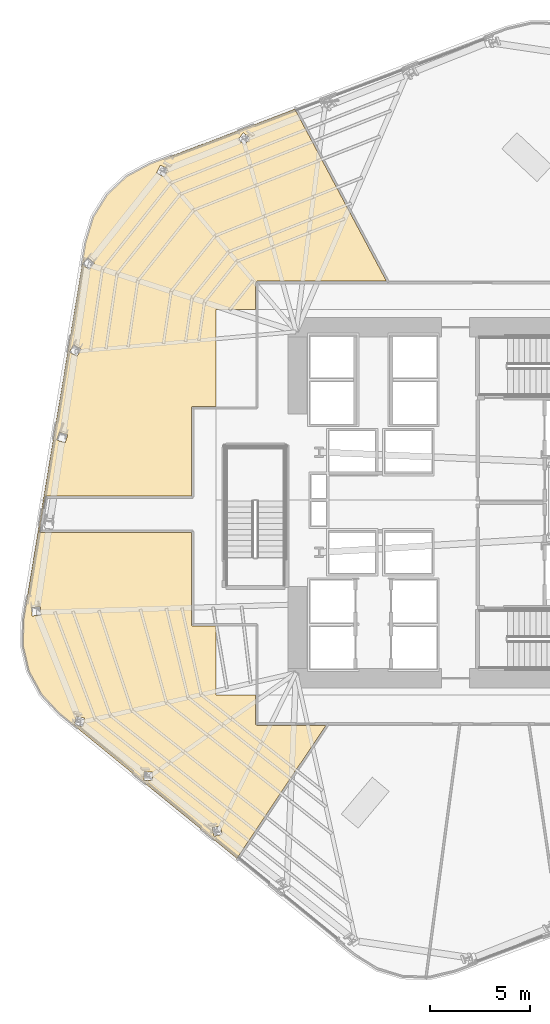
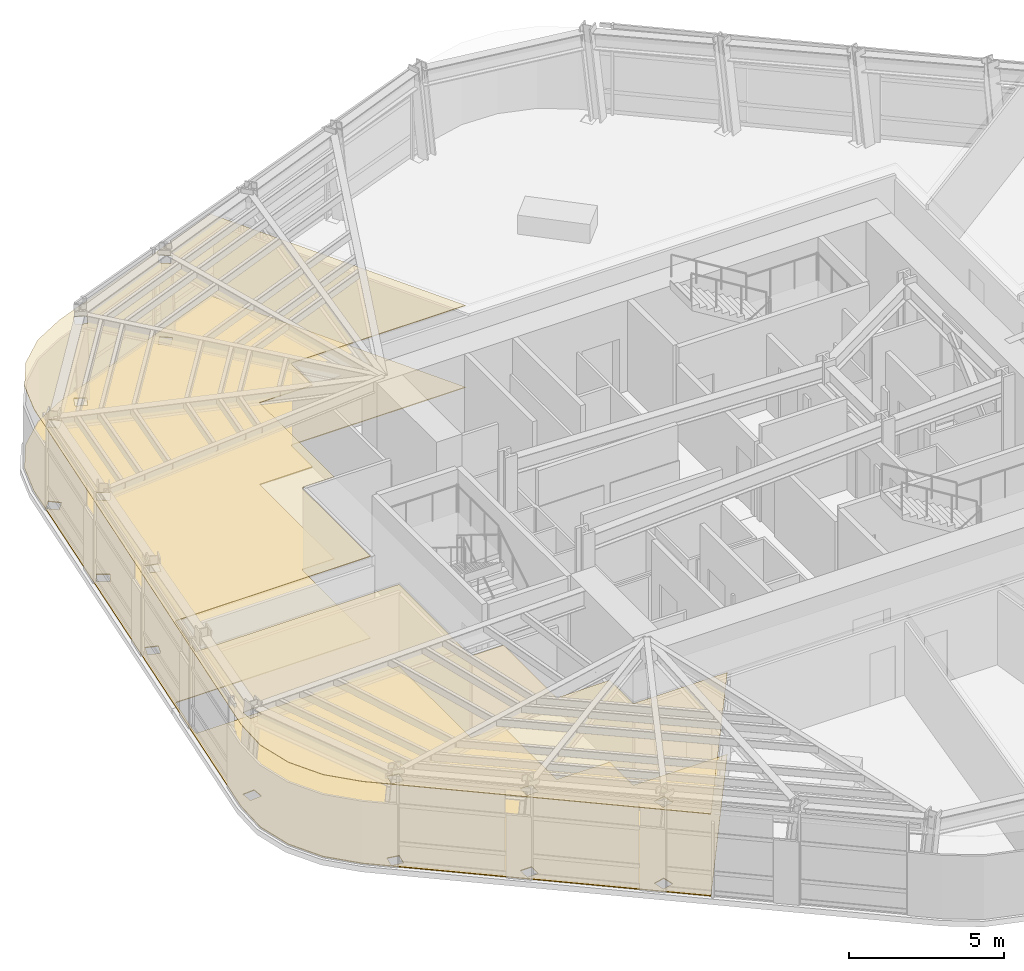
# One storey, part 13 of 18: 2 coverings.
"""IFC4 building model written with IfcOpenShell, lengths in metres."""

import ifcopenshell
import ifcopenshell.guid

model = None  # the IFC model being written
_history = None  # IfcOwnerHistory: only IFC2X3 demands one
_inside = {}  # id of a spatial element -> (the spatial element, [elements in it])
_under = {}  # id of a project, library or spatial element -> (it, [spatial elements below it])
_declared = {}  # id of a project -> (the project, [libraries it declares])
_typed = {}  # id of a type object -> (the type object, [elements of that type])
_made_of = {}  # id of a material, layer set ... -> (it, [elements and type objects made of it])


def new_model(schema):
    """Start an empty IFC model of exactly this schema.

    Asked for "IFC4X3", IfcOpenShell would pick the latest addendum, in which some entities
    have other attributes; the version numbers below select the first issue.
    IFC2X3 requires an IfcOwnerHistory on every rooted entity: one is made here for all.
    """
    global model, _history
    if schema == "IFC4X3":
        model = ifcopenshell.file(schema_version=(4, 3, 0, 0))
    else:
        model = ifcopenshell.file(schema=schema)
    _inside.clear()
    _under.clear()
    _declared.clear()
    _typed.clear()
    _made_of.clear()
    _history = None
    if model.schema == "IFC2X3":
        org = make("IfcOrganization", Name="unknown")
        user = make(
            "IfcPersonAndOrganization",
            ThePerson=make("IfcPerson", FamilyName="unknown"),
            TheOrganization=org,
        )
        app = make(
            "IfcApplication",
            ApplicationDeveloper=org,
            Version="unknown",
            ApplicationFullName="unknown",
            ApplicationIdentifier="unknown",
        )
        _history = make(
            "IfcOwnerHistory",
            OwningUser=user,
            OwningApplication=app,
            ChangeAction="ADDED",
            CreationDate=0,
        )
    return model


def make(cls, **values):
    """One entity of the class cls with the attributes given. An attribute that is None is left unset."""
    return model.create_entity(
        cls, **{name: value for name, value in values.items() if value is not None}
    )


def rooted(cls, **values):
    """An entity with a GlobalId (a new one), such as an element, a storey or a relation."""
    return make(cls, GlobalId=ifcopenshell.guid.new(), OwnerHistory=_history, **values)


def si_unit(unit_type, name, prefix=None):
    """IfcSIUnit, for example si_unit("LENGTHUNIT", "METRE", prefix="MILLI")."""
    return make("IfcSIUnit", UnitType=unit_type, Prefix=prefix, Name=name)


def assignment(units):
    """IfcUnitAssignment: the units of a project."""
    return None if units is None else make("IfcUnitAssignment", Units=units)


def point(xyz):
    """IfcCartesianPoint."""
    return None if xyz is None else make("IfcCartesianPoint", Coordinates=xyz)


def direction(xyz):
    """IfcDirection."""
    return None if xyz is None else make("IfcDirection", DirectionRatios=xyz)


def frame(location, z_axis=None, x_axis=None):
    """IfcAxis2Placement3D, a coordinate frame: its origin and axes. An axis left out is left unset."""
    return make(
        "IfcAxis2Placement3D",
        Location=point(location),
        Axis=direction(z_axis),
        RefDirection=direction(x_axis),
    )


def origin():
    """The frame at (0, 0, 0) with its axes left unset."""
    return frame((0.0, 0.0, 0.0))


def place(relative_to, where):
    """IfcLocalPlacement: puts the frame where relative to a parent placement (None: the world)."""
    return make(
        "IfcLocalPlacement", PlacementRelTo=relative_to, RelativePlacement=where
    )


def context(
    kind, dimensions, precision=None, world=None, true_north=None, identifier=None
):
    """IfcGeometricRepresentationContext, for example the 3D "Model" context."""
    return make(
        "IfcGeometricRepresentationContext",
        ContextIdentifier=identifier,
        ContextType=kind,
        CoordinateSpaceDimension=dimensions,
        Precision=precision,
        WorldCoordinateSystem=world,
        TrueNorth=true_north,
    )


def subcontext(parent, identifier, kind, view, scale=None):
    """IfcGeometricRepresentationSubContext, for example "Body" below "Model"."""
    return make(
        "IfcGeometricRepresentationSubContext",
        ContextIdentifier=identifier,
        ContextType=kind,
        ParentContext=parent,
        TargetScale=scale,
        TargetView=view,
    )


def project(units=None, contexts=None):
    """IfcProject with its units and contexts."""
    return rooted(
        "IfcProject",
        Name="project",
        RepresentationContexts=contexts,
        UnitsInContext=assignment(units),
    )


def spatial(cls, under=None, at=None, **own):
    """A site, building, storey or space (cls), placed at a placement, below another one or the project."""
    s = rooted(cls, ObjectPlacement=at, **own)
    if under is not None:
        _under.setdefault(under.id(), (under, []))[1].append(s)
    return s


def polyline(points):
    """IfcPolyline through the points."""
    return make("IfcPolyline", Points=[point(p) for p in points])


def outline(outer, holes=None, kind="AREA"):
    """IfcArbitraryClosedProfileDef: a profile drawn as a closed curve; with holes, ...WithVoids."""
    if holes is None:
        return make("IfcArbitraryClosedProfileDef", ProfileType=kind, OuterCurve=outer)
    return make(
        "IfcArbitraryProfileDefWithVoids",
        ProfileType=kind,
        OuterCurve=outer,
        InnerCurves=holes,
    )


def extrude(swept, where, along, depth):
    """IfcExtrudedAreaSolid: the profile swept, set in the frame where, extruded along a direction by depth."""
    return make(
        "IfcExtrudedAreaSolid",
        SweptArea=swept,
        Position=where,
        ExtrudedDirection=direction(along),
        Depth=depth,
    )


def shape(context_of_items, identifier, shape_type, items):
    """IfcShapeRepresentation: the items that make up one representation, for example the "Body"."""
    return make(
        "IfcShapeRepresentation",
        ContextOfItems=context_of_items,
        RepresentationIdentifier=identifier,
        RepresentationType=shape_type,
        Items=items,
    )


def material(Name=None, Category=None):
    """IfcMaterial."""
    return make("IfcMaterial", Name=Name, Category=Category)


def layer(
    of_material, thickness, ventilated=None, Name=None, Category=None, Priority=None
):
    """IfcMaterialLayer: one layer of a wall or slab, of a material (None: an air gap)."""
    return make(
        "IfcMaterialLayer",
        Material=of_material,
        LayerThickness=thickness,
        IsVentilated=ventilated,
        Name=Name,
        Category=Category,
        Priority=Priority,
    )


def layer_set(layers, Name=None):
    """IfcMaterialLayerSet."""
    return make("IfcMaterialLayerSet", MaterialLayers=layers, LayerSetName=Name)


def made_of(thing, what):
    """Note that an element or type object is made of a material, layer set ...; save() writes the relation."""
    if what is not None:
        _made_of.setdefault(what.id(), (what, []))[1].append(thing)
    return thing


def type_object(cls, material=None, **own):
    """A type object (cls), such as IfcWallType, which elements share."""
    return made_of(rooted(cls, **own), material)


def element(
    cls,
    number,
    at=None,
    inside=None,
    cuts=None,
    type_object=None,
    material=None,
    context=None,
    identifier="Body",
    shape_type=None,
    held_by="IfcProductDefinitionShape",
    body=None,
    shapes=None,
    **own,
):
    """One element of the class cls, such as IfcWall. Its Tag is "e" and its number.

    at: its placement. inside: the storey or other place that contains it. cuts: it is an
    opening in that element (IfcRelVoidsElement). A single representation is given by context,
    identifier, shape_type and body (its items); several are given by shapes. held_by: the class
    of the entity that holds the representations. save() writes the other relations.
    """
    e = rooted(cls, Tag="e%d" % number, ObjectPlacement=at, **own)
    if body is not None:
        shapes = [shape(context, identifier, shape_type, body)]
    if shapes is not None:
        e.Representation = make(held_by, Representations=shapes)
    if inside is not None:
        _inside.setdefault(inside.id(), (inside, []))[1].append(e)
    if cuts is not None:
        rooted(
            "IfcRelVoidsElement", RelatingBuildingElement=cuts, RelatedOpeningElement=e
        )
    if type_object is not None:
        _typed.setdefault(type_object.id(), (type_object, []))[1].append(e)
    return made_of(e, material)


def aggregate(whole, parts):
    """IfcRelAggregates: a whole, such as a stair, and the parts it consists of."""
    return rooted("IfcRelAggregates", RelatingObject=whole, RelatedObjects=parts)


def save(model, path):
    """Write the relations noted so far, then the file.

    IfcRelAggregates (storeys below a building ...), IfcRelContainedInSpatialStructure (elements
    in a storey), IfcRelDefinesByType, IfcRelAssociatesMaterial and IfcRelDeclares: one each for
    every whole, place, type object, material and project.
    """
    for whole, parts in _under.values():
        aggregate(whole, parts)
    for where, things in _inside.values():
        rooted(
            "IfcRelContainedInSpatialStructure",
            RelatedElements=things,
            RelatingStructure=where,
        )
    for kind, things in _typed.values():
        rooted("IfcRelDefinesByType", RelatedObjects=things, RelatingType=kind)
    for what, things in _made_of.values():
        rooted("IfcRelAssociatesMaterial", RelatedObjects=things, RelatingMaterial=what)
    for by, libraries in _declared.values():
        rooted("IfcRelDeclares", RelatingContext=by, RelatedDefinitions=libraries)
    model.write(path)


model = new_model("IFC4")

# Units and contexts
model_context = context("Model", 3, precision=1e-05, world=origin(), true_north=direction((0.0, 1.0)))
body_context = subcontext(model_context, "Body", "Model", "MODEL_VIEW")
ifc_project = project(units=[si_unit("LENGTHUNIT", "METRE"), si_unit("AREAUNIT", "SQUARE_METRE"), si_unit("VOLUMEUNIT", "CUBIC_METRE"), si_unit("PLANEANGLEUNIT", "RADIAN"), si_unit("MASSUNIT", "GRAM", prefix="KILO")], contexts=[model_context])

# Site, building, storey
site_placement = place(None, origin())
site = spatial("IfcSite", under=ifc_project, at=site_placement, CompositionType="ELEMENT")
building_placement = place(site_placement, origin())
building = spatial("IfcBuilding", under=site, at=building_placement, Name="Valkerne Bourse Tower", CompositionType="ELEMENT")
storey_placement = place(building_placement, frame((0.0, 0.0, 112.39990234375)))
storey = spatial("IfcBuildingStorey", under=building, at=storey_placement, Name="L28", CompositionType="ELEMENT", Elevation=112.39990234375)

# Coverings
ifc_material_1 = material(Name="Mineral Fiber Acoustic Ceiling Tile", Category="acoustic")
ifc_layer_1 = layer(ifc_material_1, 0.02490234375)
ifc_layer_set_1 = layer_set([ifc_layer_1], Name="Mineral Fiber Acoustic Ceiling Tile")
covering_type_1 = type_object("IfcCoveringType", Name="COV-CEIL-ACT", PredefinedType="CEILING", material=ifc_layer_set_1)
covering_1_placement = place(storey_placement, frame((0.0, 0.0, 3.22998046875)))
element("IfcCovering", 1, at=covering_1_placement, inside=storey, type_object=covering_type_1, Name="L28 Suspended Ceiling 10", PredefinedType="CEILING", context=body_context, shape_type="SweptSolid", body=[
    extrude(outline(polyline([(24.280517578125, 18.490478515625), (23.97900390625, 19.775146484375), (24.02099609375, 21.103759765625), (27.109375, 39.839111328125), (27.49365234375, 41.111572265625), (28.18896484375, 42.23291015625), (29.15087890625, 43.13623046875), (30.322265625, 43.764404296875), (37.537841796875, 46.499755859375), (42.10595703125, 37.9189453125), (35.6494140625, 37.9189453125), (35.609375, 37.906005859375), (35.587890625, 37.880126953125), (35.5810546875, 37.8505859375), (35.5810546875, 36.5), (33.60009765625, 36.5), (33.60009765625, 31.6689453125), (32.449462890625, 31.6689453125), (32.419921875, 31.662109375), (32.39404296875, 31.640625), (32.381103515625, 31.6005859375), (32.381103515625, 27.218994140625), (25.138671875, 27.217041015625), (25.103759765625, 27.19580078125), (25.08740234375, 27.161865234375), (24.80615234375, 25.44482421875), (24.8291015625, 25.3984375), (24.87451171875, 25.381103515625), (32.381103515625, 25.381103515625), (32.381103515625, 20.79931640625), (32.39404296875, 20.75927734375), (32.419921875, 20.73779296875), (32.449462890625, 20.73095703125), (33.60009765625, 20.73095703125), (33.60009765625, 17.300048828125), (35.5810546875, 17.300048828125), (35.5810546875, 15.849365234375), (35.593994140625, 15.809326171875), (35.619873046875, 15.787841796875), (35.6494140625, 15.781005859375), (39.0908203125, 15.781005859375), (34.650634765625, 9.1416015625), (25.813720703125, 16.35888671875), (24.904052734375, 17.32763671875), (24.280517578125, 18.490478515625)]), holes=[polyline([(33.824951171875, 10.757080078125), (33.822509765625, 10.759033203125), (33.415283203125, 10.6728515625), (33.5029296875, 10.25048828125), (33.50537109375, 10.248779296875), (33.91259765625, 10.3349609375), (33.824951171875, 10.757080078125)]), polyline([(30.4443359375, 13.01806640625), (30.444580078125, 13.44921875), (30.4423828125, 13.45166015625), (30.026123046875, 13.4501953125), (30.026123046875, 13.018798828125), (30.0283203125, 13.0166015625), (30.4443359375, 13.01806640625)]), polyline([(27.052490234375, 16.136474609375), (27.051025390625, 16.139404296875), (26.641845703125, 16.2158203125), (26.560791015625, 15.79248046875), (26.5625, 15.78955078125), (26.971435546875, 15.712890625), (27.052490234375, 16.136474609375)]), polyline([(24.845458984375, 21.681396484375), (24.8447265625, 21.6845703125), (24.413818359375, 21.65087890625), (24.445556640625, 21.237060546875), (24.4462890625, 21.23388671875), (24.877197265625, 21.267333984375), (24.845458984375, 21.681396484375)]), polyline([(26.2158203125, 30.256591796875), (26.21630859375, 30.259765625), (25.8056640625, 30.39404296875), (25.67578125, 29.99951171875), (25.675537109375, 29.99658203125), (26.086181640625, 29.862060546875), (26.2158203125, 30.256591796875)]), polyline([(26.8876953125, 34.536376953125), (26.5126953125, 34.75146484375), (26.3056640625, 34.3916015625), (26.304443359375, 34.388671875), (26.67919921875, 34.173583984375), (26.886474609375, 34.533447265625), (26.8876953125, 34.536376953125)]), polyline([(27.54638671875, 38.814697265625), (27.21875, 39.096435546875), (26.94775390625, 38.781982421875), (26.946044921875, 38.779052734375), (27.273681640625, 38.497314453125), (27.544677734375, 38.811767578125), (27.54638671875, 38.814697265625)]), polyline([(31.205810546875, 43.52099609375), (30.830322265625, 43.701416015625), (30.827880859375, 43.69921875), (30.642578125, 43.310546875), (31.018310546875, 43.130126953125), (31.0205078125, 43.132568359375), (31.205810546875, 43.52099609375)]), polyline([(35.044189453125, 44.723388671875), (35.299560546875, 45.070556640625), (34.964599609375, 45.318359375), (34.9619140625, 45.316650390625), (34.706787109375, 44.969482421875), (35.041748046875, 44.7216796875), (35.044189453125, 44.723388671875)])]), origin(), (0.0, 0.0, 1.0), 0.025146484375),
])
ifc_material_2 = material(Name="Polished Granite Stone", Category="masonry")
ifc_layer_2 = layer(ifc_material_2, 0.030029296875)
ifc_layer_set_2 = layer_set([ifc_layer_2], Name="Polished Granite Stone")
covering_type_2 = type_object("IfcCoveringType", Name="COV-FLR-TERRAZZO", PredefinedType="FLOORING", material=ifc_layer_set_2)
covering_2_placement = place(storey_placement, origin())
element("IfcCovering", 2, at=covering_2_placement, inside=storey, type_object=covering_type_2, Name="L28 Floor Finish 10", PredefinedType="FLOORING", context=body_context, shape_type="SweptSolid", body=[
    extrude(outline(polyline([(24.280517578125, 18.490478515625), (23.97900390625, 19.775146484375), (24.02099609375, 21.103759765625), (27.109375, 39.839111328125), (27.49365234375, 41.111572265625), (28.18896484375, 42.23291015625), (29.15087890625, 43.13623046875), (30.322265625, 43.764404296875), (37.537841796875, 46.499755859375), (42.10595703125, 37.9189453125), (35.6494140625, 37.9189453125), (35.609375, 37.906005859375), (35.587890625, 37.880126953125), (35.5810546875, 37.8505859375), (35.5810546875, 36.5), (33.60009765625, 36.5), (33.60009765625, 31.6689453125), (32.449462890625, 31.6689453125), (32.419921875, 31.662109375), (32.39404296875, 31.640625), (32.381103515625, 31.6005859375), (32.381103515625, 27.218994140625), (25.138671875, 27.217041015625), (25.103759765625, 27.19580078125), (25.08740234375, 27.161865234375), (24.80615234375, 25.44482421875), (24.8291015625, 25.3984375), (24.87451171875, 25.381103515625), (32.381103515625, 25.381103515625), (32.381103515625, 20.79931640625), (32.39404296875, 20.75927734375), (32.419921875, 20.73779296875), (32.449462890625, 20.73095703125), (33.60009765625, 20.73095703125), (33.60009765625, 17.300048828125), (35.5810546875, 17.300048828125), (35.5810546875, 15.849365234375), (35.593994140625, 15.809326171875), (35.619873046875, 15.787841796875), (35.6494140625, 15.781005859375), (39.0908203125, 15.781005859375), (34.650634765625, 9.1416015625), (25.813720703125, 16.35888671875), (24.904052734375, 17.32763671875), (24.280517578125, 18.490478515625)]), holes=[polyline([(33.824951171875, 10.757080078125), (33.822509765625, 10.759033203125), (33.415283203125, 10.6728515625), (33.5029296875, 10.25048828125), (33.50537109375, 10.248779296875), (33.91259765625, 10.3349609375), (33.824951171875, 10.757080078125)]), polyline([(30.4443359375, 13.01806640625), (30.444580078125, 13.44921875), (30.4423828125, 13.45166015625), (30.026123046875, 13.4501953125), (30.026123046875, 13.018798828125), (30.0283203125, 13.0166015625), (30.4443359375, 13.01806640625)]), polyline([(27.052490234375, 16.136474609375), (27.051025390625, 16.139404296875), (26.641845703125, 16.2158203125), (26.560791015625, 15.79248046875), (26.5625, 15.78955078125), (26.971435546875, 15.712890625), (27.052490234375, 16.136474609375)]), polyline([(24.845458984375, 21.681396484375), (24.8447265625, 21.6845703125), (24.413818359375, 21.65087890625), (24.445556640625, 21.237060546875), (24.4462890625, 21.23388671875), (24.877197265625, 21.267333984375), (24.845458984375, 21.681396484375)]), polyline([(26.2158203125, 30.256591796875), (26.21630859375, 30.259765625), (25.8056640625, 30.39404296875), (25.67578125, 29.99951171875), (25.675537109375, 29.99658203125), (26.086181640625, 29.862060546875), (26.2158203125, 30.256591796875)]), polyline([(26.8876953125, 34.536376953125), (26.5126953125, 34.75146484375), (26.3056640625, 34.3916015625), (26.304443359375, 34.388671875), (26.67919921875, 34.173583984375), (26.886474609375, 34.533447265625), (26.8876953125, 34.536376953125)]), polyline([(27.54638671875, 38.814697265625), (27.21875, 39.096435546875), (26.94775390625, 38.781982421875), (26.946044921875, 38.779052734375), (27.273681640625, 38.497314453125), (27.544677734375, 38.811767578125), (27.54638671875, 38.814697265625)]), polyline([(31.205810546875, 43.52099609375), (30.830322265625, 43.701416015625), (30.827880859375, 43.69921875), (30.642578125, 43.310546875), (31.018310546875, 43.130126953125), (31.0205078125, 43.132568359375), (31.205810546875, 43.52099609375)]), polyline([(35.044189453125, 44.723388671875), (35.299560546875, 45.070556640625), (34.964599609375, 45.318359375), (34.9619140625, 45.316650390625), (34.706787109375, 44.969482421875), (35.041748046875, 44.7216796875), (35.044189453125, 44.723388671875)])]), origin(), (0.0, 0.0, 1.0), 0.030029296875),
])

save(model, "model.ifc")
